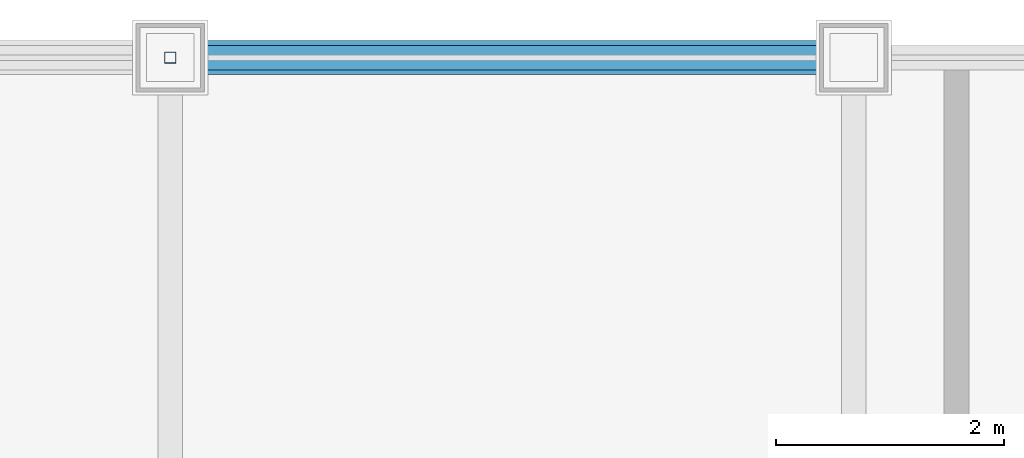
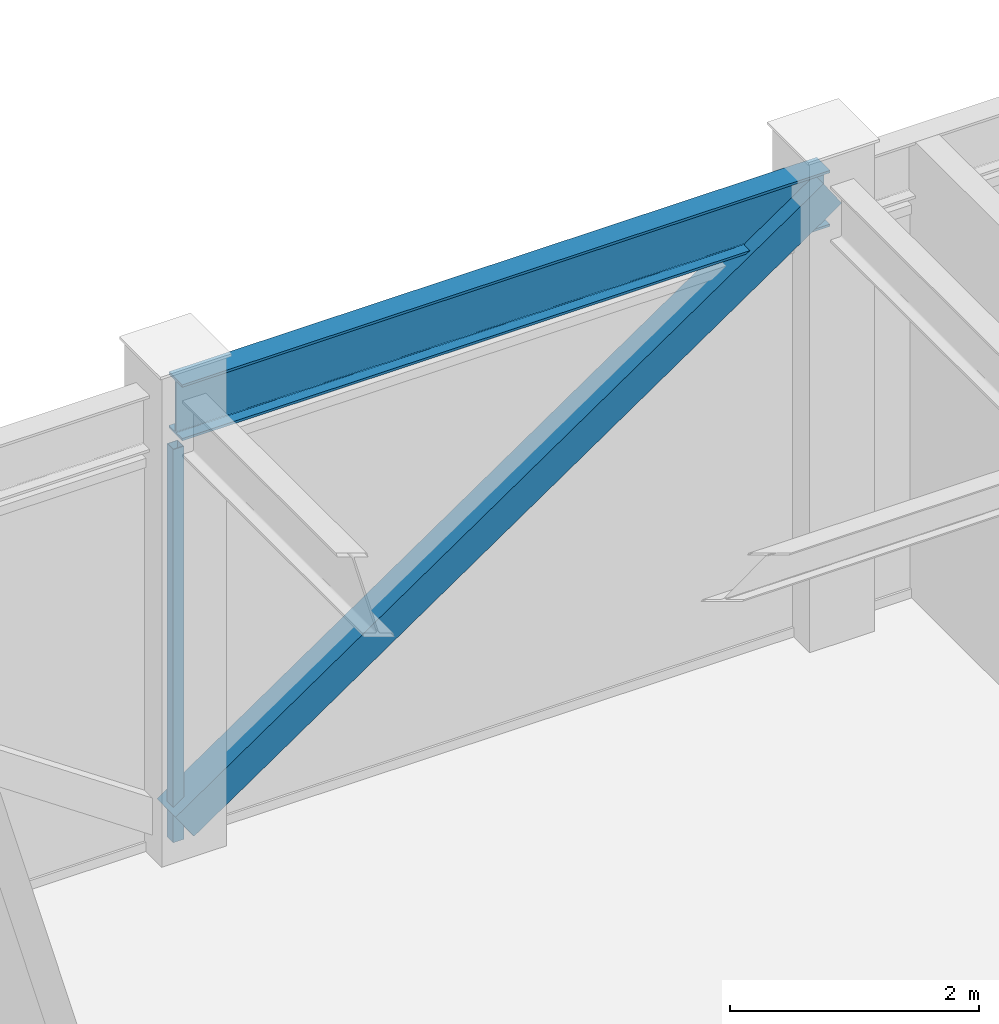
# One storey, part 18 of 27: 2 members, 1 beam, 1 element without a shape of its own.
"""IFC4 building model written with IfcOpenShell, lengths in metres."""

from ifc_helpers import new_model, si_unit, direction, frame, origin, origin_2d, place, context, subcontext, project, spatial, hollow_rectangle, i_section, extrude, source, transform, mapped, material, material_profile, profile_set, type_object, element, aggregate, save


model = new_model("IFC4")

# Units and contexts
model_context = context("Model", 3, precision=1e-05, world=origin(), true_north=direction((0.0, 1.0)))
body_context = subcontext(model_context, "Body", "Model", "MODEL_VIEW")
ifc_project = project(units=[si_unit("LENGTHUNIT", "METRE"), si_unit("AREAUNIT", "SQUARE_METRE"), si_unit("VOLUMEUNIT", "CUBIC_METRE"), si_unit("PLANEANGLEUNIT", "RADIAN"), si_unit("MASSUNIT", "GRAM", prefix="KILO")], contexts=[model_context])

# Site, building, storey
site_placement = place(None, origin())
site = spatial("IfcSite", under=ifc_project, at=site_placement, CompositionType="ELEMENT")
building_placement = place(site_placement, origin())
building = spatial("IfcBuilding", under=site, at=building_placement, Name="Khorayat Bourse Tower", CompositionType="ELEMENT")
storey_placement = place(building_placement, frame((0.0, 0.0, 399.5)))
storey = spatial("IfcBuildingStorey", under=building, at=storey_placement, Name="L94", CompositionType="ELEMENT", Elevation=399.5)

# Beam
ifc_material_1 = material(Name="Steel ASTM A992 Grade 50", Category="steel")
ifc_material_profile_1 = material_profile(ifc_material_1, i_section(OverallWidth=0.214111328125, OverallDepth=0.549072265625, WebThickness=0.0146484375, FlangeThickness=0.023681640625, FilletRadius=0.013916015625, at=origin_2d()), Name="W530X138")
ifc_profile_set_1 = profile_set([ifc_material_profile_1], Name="Steel ASTM A992 Grade 50")
beam_type = type_object("IfcBeamType", Name="BM-SPAN-530", PredefinedType="SPANDREL", material=ifc_profile_set_1)
shared_shape_1 = source(origin(), body_context, "Body", "SweptSolid", [
    extrude(i_section(OverallWidth=0.214111328125, OverallDepth=0.549072265625, WebThickness=0.0146484375, FlangeThickness=0.023681640625, FilletRadius=0.013916015625, at=origin_2d()), origin(), (0.0, 0.0, 1.0), 6.0),
])
beam_placement = place(storey_placement, frame((0.0, 24.0, 4.2255859375), z_axis=(1.0, 0.0, 0.0), x_axis=(0.0, 1.0, 0.0)))
element("IfcBeam", 1, at=beam_placement, inside=storey, type_object=beam_type, Name="L94 BM-SPAN-530 BM-L94-SPN-042", PredefinedType="SPANDREL", context=body_context, shape_type="MappedRepresentation", body=[
    mapped(shared_shape_1, transform((0.0, 0.0, 0.0), scale=1.0)),
])

# Member
ifc_material_2 = material(Name="Steel EN 10025-2 S355J2", Category="steel")
ifc_material_profile_2 = material_profile(ifc_material_2, hollow_rectangle(XDim=0.300048828125, YDim=0.300048828125, WallThickness=0.01611328125, at=origin_2d()), Name="HSS 300x300x16")
ifc_profile_set_2 = profile_set([ifc_material_profile_2], Name="Steel EN 10025-2 S355J2")
member_type_1 = type_object("IfcMemberType", Name="MBR-CROWN-300", PredefinedType="USERDEFINED", material=ifc_profile_set_2)
shared_shape_2 = source(origin(), body_context, "Body", "SweptSolid", [
    extrude(hollow_rectangle(XDim=0.300048828125, YDim=0.300048828125, WallThickness=0.01611328125, at=origin_2d()), origin(), (0.0, 0.0, 1.0), 7.26708984375),
])
member_1_placement = place(storey_placement, frame((0.0, 24.0, 0.199951171875), z_axis=(0.825638381691, 0.0, 0.564199665614), x_axis=(0.0, 1.0, 0.0)))
element("IfcMember", 2, at=member_1_placement, inside=storey, type_object=member_type_1, Name="L94 Lantern Crown Frame Member 07", ObjectType="CROWN FRAME", PredefinedType="USERDEFINED", context=body_context, shape_type="MappedRepresentation", body=[
    mapped(shared_shape_2, transform((0.0, 0.0, 0.0), scale=1.0)),
])

# Curtain wall, member
ifc_material_3 = material(Name="Aluminium EN AW-6063 T6", Category="aluminium")
curtain_wall_type = type_object("IfcCurtainWallType", Name="CW-SYS-07", PredefinedType="NOTDEFINED", material=ifc_material_3)
curtain_wall_placement = place(storey_placement, origin())
curtain_wall = element("IfcCurtainWall", 3, at=curtain_wall_placement, inside=storey, type_object=curtain_wall_type, Name="L94 Curtain Wall CW-L94-N1", PredefinedType="NOTDEFINED")
ifc_material_profile_3 = material_profile(ifc_material_3, hollow_rectangle(XDim=0.10009765625, YDim=0.10009765625, WallThickness=0.0048828125, at=origin_2d()), Name="ALU 100x100x5")
ifc_profile_set_3 = profile_set([ifc_material_profile_3], Name="Aluminium EN AW-6063 T6")
member_type_2 = type_object("IfcMemberType", Name="CWM-LANTERN-100", PredefinedType="MULLION", material=ifc_profile_set_3)
shared_shape_3 = source(origin(), body_context, "Body", "SweptSolid", [
    extrude(hollow_rectangle(XDim=0.10009765625, YDim=0.10009765625, WallThickness=0.0048828125, at=origin_2d()), origin(), (0.0, 0.0, 1.0), 3.85009765625),
])
member_2_placement = place(storey_placement, frame((0.0, 24.0, 0.0), z_axis=(0.0, 0.0, 1.0), x_axis=(0.0, 1.0, 0.0)))
member_2 = element("IfcMember", 4, at=member_2_placement, type_object=member_type_2, Name="CW-L94-N1 Vertical Mullion 2", PredefinedType="MULLION", context=body_context, shape_type="MappedRepresentation", body=[
    mapped(shared_shape_3, transform((0.0, 0.0, 0.0), scale=1.0)),
])
aggregate(curtain_wall, [member_2])

save(model, "model.ifc")
